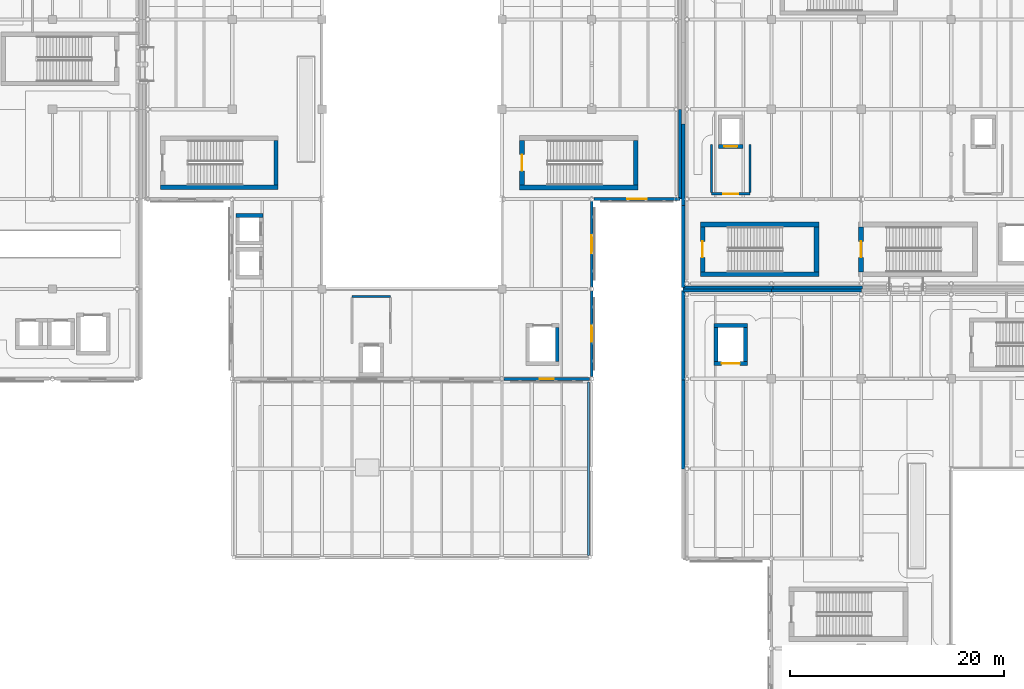
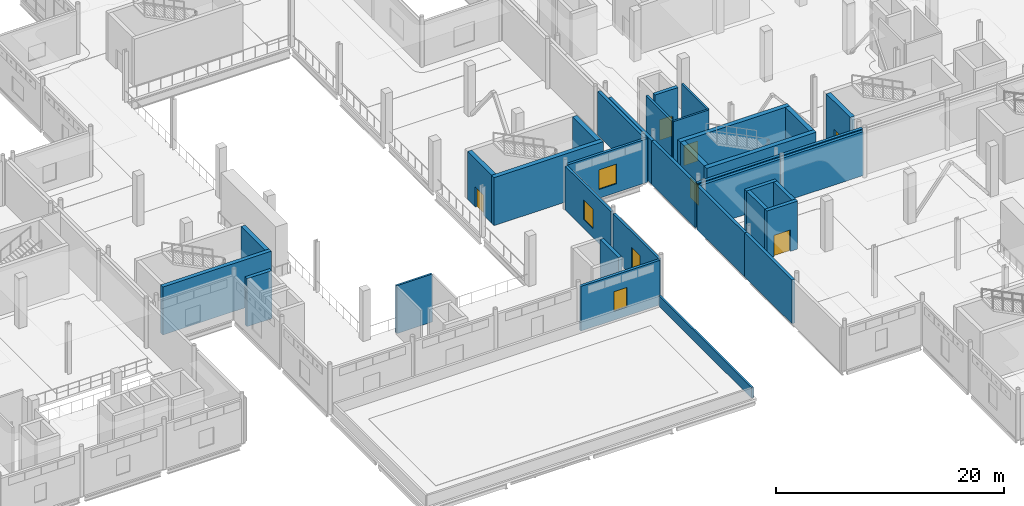
# One storey, part 67 of 110: 35 walls, 6 doors, 4 windows, 10 openings.
"""IFC4 building model written with IfcOpenShell, lengths in metres."""

from ifc_helpers import new_model, si_unit, direction, frame, frame_2d, origin, place, context, subcontext, project, spatial, rectangle, extrude, material, layer, layer_set, type_object, element, fill, save


model = new_model("IFC4")

# Units and contexts
model_context = context("Model", 3, precision=1e-05, world=origin(), true_north=direction((0.0, 1.0)))
body_context = subcontext(model_context, "Body", "Model", "MODEL_VIEW")
ifc_project = project(units=[si_unit("LENGTHUNIT", "METRE"), si_unit("AREAUNIT", "SQUARE_METRE"), si_unit("VOLUMEUNIT", "CUBIC_METRE"), si_unit("PLANEANGLEUNIT", "RADIAN"), si_unit("MASSUNIT", "GRAM", prefix="KILO"), si_unit("THERMODYNAMICTEMPERATUREUNIT", "KELVIN")], contexts=[model_context])

# Site, building, storey
site_placement = place(None, origin())
site = spatial("IfcSite", under=ifc_project, at=site_placement, CompositionType="ELEMENT")
building_placement = place(site_placement, origin())
building = spatial("IfcBuilding", under=site, at=building_placement, Name="Lustrewick Department Store", CompositionType="ELEMENT")
storey_placement = place(building_placement, frame((0.0, 0.0, 6.0)))
storey = spatial("IfcBuildingStorey", under=building, at=storey_placement, Name="L02", CompositionType="ELEMENT", Elevation=6.0)

# Wall, opening, window
ifc_material_1 = material(Name="Precast concrete C40", Category="concrete")
ifc_layer_1 = layer(ifc_material_1, 0.239990234375, Name="Precast concrete C40")
ifc_layer_set_1 = layer_set([ifc_layer_1], Name="Precast concrete C40")
wall_type_1 = type_object("IfcWallType", Name="EW01", PredefinedType="STANDARD", material=ifc_layer_set_1)
wall_1_placement = place(storey_placement, frame((100.800048828125, 42.197998046875, 0.0), z_axis=(0.0, 0.0, 1.0), x_axis=(0.0, 1.0, 0.0)))
wall_1 = element("IfcWall", 1, at=wall_1_placement, inside=storey, type_object=wall_type_1, Name="L02 V2 Exterior Wall EW01", PredefinedType="STANDARD", context=body_context, shape_type="SweptSolid", body=[
    extrude(rectangle(XDim=8.0185546875, YDim=0.239990234375, at=frame_2d((4.00927734375, 0.0))), origin(), (0.0, 0.0, 1.0), 4.697021484375),
])
opening_1_placement = place(wall_1_placement, frame((3.25927734375, 0.0, 0.949951171875)))
opening_1 = element("IfcOpeningElement", 2, at=opening_1_placement, cuts=wall_1, Name="Opening WN08", PredefinedType="OPENING", context=body_context, shape_type="SweptSolid", body=[
    extrude(rectangle(XDim=1.5, YDim=2.10009765625, at=frame_2d((0.75, 1.050048828125))), frame((0.0, 0.1298828125, 0.0), z_axis=(0.0, -1.0, 0.0), x_axis=(1.0, 0.0, 0.0)), (0.0, 0.0, 1.0), 0.260009765625),
])
ifc_material_2 = material(Name="Thermally broken Low-E triple-glazed window", Category="glass")
window_type_1 = type_object("IfcWindowType", Name="WN08", PartitioningType="DOUBLE_PANEL_VERTICAL", PredefinedType="WINDOW", material=ifc_material_2)
window_1_placement = place(opening_1_placement, origin())
window_1 = element("IfcWindow", 3, at=window_1_placement, inside=storey, type_object=window_type_1, Name="L02 Art Nouveau Window WN08", OverallHeight=2.10009765625, OverallWidth=1.5, PartitioningType="SINGLE_PANEL", PredefinedType="WINDOW", context=body_context, shape_type="SweptSolid", body=[
    extrude(rectangle(XDim=1.5, YDim=2.10009765625, at=frame_2d((0.75, 1.050048828125))), frame((0.0, 0.030029296875, 0.0), z_axis=(0.0, -1.0, 0.0), x_axis=(1.0, 0.0, 0.0)), (0.0, 0.0, 1.0), 0.06005859375),
])
fill(opening_1, window_1)

ifc_layer_2 = layer(ifc_material_1, 0.260009765625, Name="Precast concrete C40")
ifc_layer_set_2 = layer_set([ifc_layer_2], Name="Precast concrete C40")
wall_type_2 = type_object("IfcWallType", Name="EW02", PredefinedType="STANDARD", material=ifc_layer_set_2)
wall_2_placement = place(storey_placement, frame((100.800048828125, 50.58349609375, 0.0), z_axis=(0.0, 0.0, 1.0), x_axis=(0.0, 1.0, 0.0)))
wall_2 = element("IfcWall", 4, at=wall_2_placement, inside=storey, type_object=wall_type_2, Name="L02 V2 Exterior Wall EW02", PredefinedType="STANDARD", context=body_context, shape_type="SweptSolid", body=[
    extrude(rectangle(XDim=8.0185546875, YDim=0.260009765625, at=frame_2d((4.00927734375, 0.0))), origin(), (0.0, 0.0, 1.0), 4.697021484375),
])
opening_2_placement = place(wall_2_placement, frame((3.169189453125, 0.0, 0.949951171875)))
opening_2 = element("IfcOpeningElement", 5, at=opening_2_placement, cuts=wall_2, Name="Opening WN09", PredefinedType="OPENING", context=body_context, shape_type="SweptSolid", body=[
    extrude(rectangle(XDim=1.679931640625, YDim=2.10009765625, at=frame_2d((0.83984375, 1.050048828125))), frame((0.0, 0.14013671875, 0.0), z_axis=(0.0, -1.0, 0.0), x_axis=(1.0, 0.0, 0.0)), (0.0, 0.0, 1.0), 0.280029296875),
])
window_type_2 = type_object("IfcWindowType", Name="WN09", PartitioningType="DOUBLE_PANEL_VERTICAL", PredefinedType="WINDOW", material=ifc_material_2)
window_2_placement = place(opening_2_placement, origin())
window_2 = element("IfcWindow", 6, at=window_2_placement, inside=storey, type_object=window_type_2, Name="L02 Art Nouveau Window WN09", OverallHeight=2.10009765625, OverallWidth=1.679931640625, PartitioningType="SINGLE_PANEL", PredefinedType="WINDOW", context=body_context, shape_type="SweptSolid", body=[
    extrude(rectangle(XDim=1.679931640625, YDim=2.10009765625, at=frame_2d((0.83984375, 1.050048828125))), frame((0.0, 0.030029296875, 0.0), z_axis=(0.0, -1.0, 0.0), x_axis=(1.0, 0.0, 0.0)), (0.0, 0.0, 1.0), 0.06005859375),
])
fill(opening_2, window_2)

wall_3_placement = place(storey_placement, frame((100.998046875, 58.800048828125, 0.0), z_axis=(0.0, 0.0, 1.0), x_axis=(1.0, 0.0, 0.0)))
wall_3 = element("IfcWall", 7, at=wall_3_placement, inside=storey, type_object=wall_type_2, Name="L02 V2 Exterior Wall EW02", PredefinedType="STANDARD", context=body_context, shape_type="SweptSolid", body=[
    extrude(rectangle(XDim=8.052001953125, YDim=0.260009765625, at=frame_2d((4.02587890625, 0.0))), origin(), (0.0, 0.0, 1.0), 4.697021484375),
])
opening_3_placement = place(wall_3_placement, frame((3.1259765625, 0.0, 0.949951171875)))
opening_3 = element("IfcOpeningElement", 8, at=opening_3_placement, cuts=wall_3, Name="Opening WN10", PredefinedType="OPENING", context=body_context, shape_type="SweptSolid", body=[
    extrude(rectangle(XDim=1.800048828125, YDim=2.10009765625, at=frame_2d((0.89990234375, 1.050048828125))), frame((0.0, 0.14013671875, 0.0), z_axis=(0.0, -1.0, 0.0), x_axis=(1.0, 0.0, 0.0)), (0.0, 0.0, 1.0), 0.280029296875),
])
window_type_3 = type_object("IfcWindowType", Name="WN10", PartitioningType="DOUBLE_PANEL_VERTICAL", PredefinedType="WINDOW", material=ifc_material_2)
window_3_placement = place(opening_3_placement, origin())
window_3 = element("IfcWindow", 9, at=window_3_placement, inside=storey, type_object=window_type_3, Name="L02 Art Nouveau Window WN10", OverallHeight=2.10009765625, OverallWidth=1.800048828125, PartitioningType="SINGLE_PANEL", PredefinedType="WINDOW", context=body_context, shape_type="SweptSolid", body=[
    extrude(rectangle(XDim=1.800048828125, YDim=2.10009765625, at=frame_2d((0.89990234375, 1.050048828125))), frame((0.0, 0.030029296875, 0.0), z_axis=(0.0, -1.0, 0.0), x_axis=(1.0, 0.0, 0.0)), (0.0, 0.0, 1.0), 0.06005859375),
])
fill(opening_3, window_3)

ifc_layer_3 = layer(ifc_material_1, 0.280029296875, Name="Precast concrete C40")
ifc_layer_set_3 = layer_set([ifc_layer_3], Name="Precast concrete C40")
wall_type_3 = type_object("IfcWallType", Name="EW03", PredefinedType="STANDARD", material=ifc_layer_set_3)
wall_4_placement = place(storey_placement, frame((92.597900390625, 42.0, 0.0), z_axis=(0.0, 0.0, 1.0), x_axis=(1.0, 0.0, 0.0)))
wall_4 = element("IfcWall", 10, at=wall_4_placement, inside=storey, type_object=wall_type_3, Name="L02 V2 Exterior Wall EW03", PredefinedType="STANDARD", context=body_context, shape_type="SweptSolid", body=[
    extrude(rectangle(XDim=8.004150390625, YDim=0.280029296875, at=frame_2d((4.001953125, 0.0))), origin(), (0.0, 0.0, 1.0), 4.787109375),
])
opening_4_placement = place(wall_4_placement, frame((3.326904296875, 0.0, 0.949951171875)))
opening_4 = element("IfcOpeningElement", 11, at=opening_4_placement, cuts=wall_4, Name="Opening WN07", PredefinedType="OPENING", context=body_context, shape_type="SweptSolid", body=[
    extrude(rectangle(XDim=1.35009765625, YDim=2.10009765625, at=frame_2d((0.675048828125, 1.050048828125))), frame((0.0, 0.14990234375, 0.0), z_axis=(0.0, -1.0, 0.0), x_axis=(1.0, 0.0, 0.0)), (0.0, 0.0, 1.0), 0.300048828125),
])
window_type_4 = type_object("IfcWindowType", Name="WN07", PartitioningType="DOUBLE_PANEL_VERTICAL", PredefinedType="WINDOW", material=ifc_material_2)
window_4_placement = place(opening_4_placement, origin())
window_4 = element("IfcWindow", 12, at=window_4_placement, inside=storey, type_object=window_type_4, Name="L02 Art Nouveau Window WN07", OverallHeight=2.10009765625, OverallWidth=1.35009765625, PartitioningType="SINGLE_PANEL", PredefinedType="WINDOW", context=body_context, shape_type="SweptSolid", body=[
    extrude(rectangle(XDim=1.35009765625, YDim=2.10009765625, at=frame_2d((0.675048828125, 1.050048828125))), frame((0.0, 0.030029296875, 0.0), z_axis=(0.0, -1.0, 0.0), x_axis=(1.0, 0.0, 0.0)), (0.0, 0.0, 1.0), 0.06005859375),
])
fill(opening_4, window_4)

# Walls
ifc_layer_4 = layer(ifc_material_1, 0.300048828125, Name="Precast concrete C40")
ifc_layer_set_4 = layer_set([ifc_layer_4], Name="Precast concrete C40")
wall_type_4 = type_object("IfcWallType", Name="EW04", PredefinedType="STANDARD", material=ifc_layer_set_4)
wall_5_placement = place(storey_placement, frame((109.050048828125, 58.800048828125, 0.0), z_axis=(0.0, 0.0, 1.0), x_axis=(0.0, 1.0, 0.0)))
element("IfcWall", 13, at=wall_5_placement, inside=storey, type_object=wall_type_4, Name="L02 V2 Exterior Wall EW04", PredefinedType="STANDARD", context=body_context, shape_type="SweptSolid", body=[
    extrude(rectangle(XDim=8.39990234375, YDim=0.300048828125, at=frame_2d((4.199951171875, 0.0))), origin(), (0.0, 0.0, 1.0), 4.631103515625),
])
wall_6_placement = place(storey_placement, frame((126.0, 50.25, 0.0), z_axis=(0.0, 0.0, 1.0), x_axis=(-1.0, 0.0, 0.0)))
element("IfcWall", 14, at=wall_6_placement, inside=storey, type_object=wall_type_4, Name="L02 V3 Exterior Wall EW04", PredefinedType="STANDARD", context=body_context, shape_type="SweptSolid", body=[
    extrude(rectangle(XDim=8.39990234375, YDim=0.300048828125, at=frame_2d((4.199951171875, 0.0))), origin(), (0.0, 0.0, 1.0), 4.697021484375),
])
wall_7_placement = place(storey_placement, frame((117.60009765625, 50.25, 0.0), z_axis=(0.0, 0.0, 1.0), x_axis=(-1.0, 0.0, 0.0)))
element("IfcWall", 15, at=wall_7_placement, inside=storey, type_object=wall_type_4, Name="L02 V3 Exterior Wall EW04", PredefinedType="STANDARD", context=body_context, shape_type="SweptSolid", body=[
    extrude(rectangle(XDim=8.25, YDim=0.300048828125, at=frame_2d((4.125, 0.0))), origin(), (0.0, 0.0, 1.0), 4.697021484375),
])
wall_8_placement = place(storey_placement, frame((109.35009765625, 50.25, 0.0), z_axis=(0.0, 0.0, 1.0), x_axis=(0.0, -1.0, 0.0)))
element("IfcWall", 16, at=wall_8_placement, inside=storey, type_object=wall_type_4, Name="L02 V3 Exterior Wall EW04", PredefinedType="STANDARD", context=body_context, shape_type="SweptSolid", body=[
    extrude(rectangle(XDim=8.35009765625, YDim=0.300048828125, at=frame_2d((4.175048828125, 0.0))), origin(), (0.0, 0.0, 1.0), 4.697021484375),
])
wall_9_placement = place(storey_placement, frame((109.35009765625, 41.89990234375, 0.0), z_axis=(0.0, 0.0, 1.0), x_axis=(0.0, -1.0, 0.0)))
element("IfcWall", 17, at=wall_9_placement, inside=storey, type_object=wall_type_4, Name="L02 V3 Exterior Wall EW04", PredefinedType="STANDARD", context=body_context, shape_type="SweptSolid", body=[
    extrude(rectangle(XDim=8.349853515625, YDim=0.300048828125, at=frame_2d((4.1748046875, 0.0))), origin(), (0.0, 0.0, 1.0), 4.697021484375),
])
wall_10_placement = place(storey_placement, frame((109.35009765625, 50.550048828125, 0.0), z_axis=(0.0, 0.0, 1.0), x_axis=(1.0, 0.0, 0.0)))
element("IfcWall", 18, at=wall_10_placement, inside=storey, type_object=wall_type_4, Name="L02 V4 Exterior Wall EW04", PredefinedType="STANDARD", context=body_context, shape_type="SweptSolid", body=[
    extrude(rectangle(XDim=8.37841796875, YDim=0.300048828125, at=frame_2d((4.189208984375, 0.0))), origin(), (0.0, 0.0, 1.0), 4.787109375),
])
wall_11_placement = place(storey_placement, frame((117.728515625, 50.550048828125, 0.0), z_axis=(0.0, 0.0, 1.0), x_axis=(1.0, 0.0, 0.0)))
element("IfcWall", 19, at=wall_11_placement, inside=storey, type_object=wall_type_4, Name="L02 V4 Exterior Wall EW04", PredefinedType="STANDARD", context=body_context, shape_type="SweptSolid", body=[
    extrude(rectangle(XDim=8.378662109375, YDim=0.300048828125, at=frame_2d((4.189453125, 0.0))), origin(), (0.0, 0.0, 1.0), 4.787109375),
])
wall_12_placement = place(storey_placement, frame((109.35009765625, 65.8125, 0.0), z_axis=(0.0, 0.0, 1.0), x_axis=(0.0, -1.0, 0.0)))
element("IfcWall", 20, at=wall_12_placement, inside=storey, type_object=wall_type_4, Name="L02 V4 Exterior Wall EW04", PredefinedType="STANDARD", context=body_context, shape_type="SweptSolid", body=[
    extrude(rectangle(XDim=7.63134765625, YDim=0.300048828125, at=frame_2d((3.815673828125, 0.0))), origin(), (0.0, 0.0, 1.0), 4.697021484375),
])
wall_13_placement = place(storey_placement, frame((109.35009765625, 58.18115234375, 0.0), z_axis=(0.0, 0.0, 1.0), x_axis=(0.0, -1.0, 0.0)))
element("IfcWall", 21, at=wall_13_placement, inside=storey, type_object=wall_type_4, Name="L02 V4 Exterior Wall EW04", PredefinedType="STANDARD", context=body_context, shape_type="SweptSolid", body=[
    extrude(rectangle(XDim=7.631103515625, YDim=0.300048828125, at=frame_2d((3.8154296875, 0.0))), origin(), (0.0, 0.0, 1.0), 4.697021484375),
])
ifc_layer_5 = layer(ifc_material_1, 0.18994140625, Name="Precast concrete C40")
ifc_layer_set_5 = layer_set([ifc_layer_5], Name="Precast concrete C40")
wall_type_5 = type_object("IfcWallType", Name="PA01", PredefinedType="PARAPET", material=ifc_layer_set_5)
wall_14_placement = place(storey_placement, frame((100.52001953125, 41.719970703125, 0.0), z_axis=(0.0, 0.0, 1.0), x_axis=(0.0, -1.0, 0.0)))
element("IfcWall", 22, at=wall_14_placement, inside=storey, type_object=wall_type_5, Name="L02 Roof Parapet PA01", PredefinedType="PARAPET", context=body_context, shape_type="SweptSolid", body=[
    extrude(rectangle(XDim=16.239990234375, YDim=0.18994140625, at=frame_2d((8.1201171875, 0.0))), origin(), (0.0, 0.0, 1.0), 1.14990234375),
])
ifc_material_3 = material(Name="Autoclaved aerated concrete blockwork and fire board", Category="masonry")
ifc_layer_6 = layer(ifc_material_3, 0.205078125, Name="Autoclaved aerated concrete blockwork and fire board")
ifc_layer_set_6 = layer_set([ifc_layer_6], Name="Autoclaved aerated concrete blockwork and fire board")
wall_type_6 = type_object("IfcWallType", Name="PW02", PredefinedType="PARTITIONING", material=ifc_layer_set_6)
wall_15_placement = place(storey_placement, frame((82.0, 49.699951171875, 0.0), z_axis=(0.0, 0.0, 1.0), x_axis=(-1.0, 0.0, 0.0)))
element("IfcWall", 23, at=wall_15_placement, inside=storey, type_object=wall_type_6, Name="L02 Firefighting Lift Lobby FFL-02 PW02", PredefinedType="PARTITIONING", context=body_context, shape_type="SweptSolid", body=[
    extrude(rectangle(XDim=3.60009765625, YDim=0.205078125, at=frame_2d((1.800048828125, 0.0))), origin(), (0.0, 0.0, 1.0), 5.14501953125),
])

# Wall, opening, door
wall_16_placement = place(storey_placement, frame((112.0, 59.300048828125, 0.0), z_axis=(0.0, 0.0, 1.0), x_axis=(1.0, 0.0, 0.0)))
wall_16 = element("IfcWall", 24, at=wall_16_placement, inside=storey, type_object=wall_type_6, Name="L02 Firefighting Lift Lobby FFL-04 PW02", PredefinedType="PARTITIONING", context=body_context, shape_type="SweptSolid", body=[
    extrude(rectangle(XDim=3.60009765625, YDim=0.205078125, at=frame_2d((1.800048828125, 0.0))), origin(), (0.0, 0.0, 1.0), 5.14501953125),
])
opening_5_placement = place(wall_16_placement, frame((1.10009765625, 0.0, 0.0)))
opening_5 = element("IfcOpeningElement", 25, at=opening_5_placement, cuts=wall_16, Name="Opening D-L02-050", PredefinedType="OPENING", context=body_context, shape_type="SweptSolid", body=[
    extrude(rectangle(XDim=1.39990234375, YDim=2.14990234375, at=frame_2d((0.699951171875, 1.074951171875))), frame((0.0, 0.112548828125, 0.0), z_axis=(0.0, -1.0, 0.0), x_axis=(1.0, 0.0, 0.0)), (0.0, 0.0, 1.0), 0.22509765625),
])
ifc_material_4 = material(Name="Steel fire door Class B EI 60", Category="steel")
door_type_1 = type_object("IfcDoorType", Name="DT-08", OperationType="NOTDEFINED", PredefinedType="DOOR", material=ifc_material_4)
door_1_placement = place(opening_5_placement, origin())
door_1 = element("IfcDoor", 26, at=door_1_placement, inside=storey, type_object=door_type_1, Name="L02 Firefighting Lift Lobby FFL-04 Door D-L02-050", OperationType="SINGLE_SWING_RIGHT", OverallHeight=2.14990234375, OverallWidth=1.39990234375, PredefinedType="DOOR", context=body_context, shape_type="SweptSolid", body=[
    extrude(rectangle(XDim=1.39990234375, YDim=2.14990234375, at=frame_2d((0.699951171875, 1.074951171875))), frame((0.0, 0.02490234375, 0.0), z_axis=(0.0, -1.0, 0.0), x_axis=(1.0, 0.0, 0.0)), (0.0, 0.0, 1.0), 0.050048828125),
])
fill(opening_5, door_1)

# Walls
for number, where, z_axis, x_axis, name in (
    (27, (115.60009765625, 59.3974609375, 0.0), (0.0, 0.0, 1.0), (0.0, 1.0, 0.0), "L02 Firefighting Lift Lobby FFL-04 PW02"),
    (28, (112.0, 63.89990234375, 0.0), (0.0, 0.0, 1.0), (0.0, -1.0, 0.0), "L02 Firefighting Lift Lobby FFL-04 PW02"),
):
    element("IfcWall", number, at=place(storey_placement, frame(where, z_axis=z_axis, x_axis=x_axis)), inside=storey, type_object=wall_type_6, Name=name, PredefinedType="PARTITIONING", context=body_context, shape_type="SweptSolid", body=[
        extrude(rectangle(XDim=4.50244140625, YDim=0.205078125, at=frame_2d((2.251220703125, 0.0))), origin(), (0.0, 0.0, 1.0), 5.14501953125),
    ])
ifc_material_5 = material(Name="Concrete C50", Category="concrete")
ifc_layer_7 = layer(ifc_material_5, 0.449951171875, Name="Concrete C50")
ifc_layer_set_7 = layer_set([ifc_layer_7], Name="Concrete C50")
wall_type_7 = type_object("IfcWallType", Name="SW01", PredefinedType="SHEAR", material=ifc_layer_set_7)
wall_17_placement = place(storey_placement, frame((94.050048828125, 59.875, 0.0), z_axis=(0.0, 0.0, 1.0), x_axis=(1.0, 0.0, 0.0)))
element("IfcWall", 29, at=wall_17_placement, inside=storey, type_object=wall_type_7, Name="L02 Stair Core ST05 Shear Wall S", PredefinedType="SHEAR", context=body_context, shape_type="SweptSolid", body=[
    extrude(rectangle(XDim=11.099853515625, YDim=0.449951171875, at=frame_2d((5.5498046875, 0.0))), origin(), (0.0, 0.0, 1.0), 5.14501953125),
])
wall_18_placement = place(storey_placement, frame((104.925048828125, 60.10009765625, 0.0), z_axis=(0.0, 0.0, 1.0), x_axis=(0.0, 1.0, 0.0)))
element("IfcWall", 30, at=wall_18_placement, inside=storey, type_object=wall_type_7, Name="L02 Stair Core ST05 Shear Wall E", PredefinedType="SHEAR", context=body_context, shape_type="SweptSolid", body=[
    extrude(rectangle(XDim=4.199951171875, YDim=0.449951171875, at=frame_2d((2.10009765625, 0.0))), origin(), (0.0, 0.0, 1.0), 5.14501953125),
])

# Wall, opening, door
wall_19_placement = place(storey_placement, frame((94.27490234375, 64.300048828125, 0.0), z_axis=(0.0, 0.0, 1.0), x_axis=(0.0, -1.0, 0.0)))
wall_19 = element("IfcWall", 31, at=wall_19_placement, inside=storey, type_object=wall_type_7, Name="L02 Stair Core ST05 Shear Wall W", PredefinedType="SHEAR", context=body_context, shape_type="SweptSolid", body=[
    extrude(rectangle(XDim=4.199951171875, YDim=0.449951171875, at=frame_2d((2.10009765625, 0.0))), origin(), (0.0, 0.0, 1.0), 5.14501953125),
])
opening_6_placement = place(wall_19_placement, frame((1.35009765625, 0.0, 0.0)))
opening_6 = element("IfcOpeningElement", 32, at=opening_6_placement, cuts=wall_19, Name="Opening D-L02-005", PredefinedType="OPENING", context=body_context, shape_type="SweptSolid", body=[
    extrude(rectangle(XDim=1.5, YDim=2.14990234375, at=frame_2d((0.75, 1.074951171875))), frame((0.0, 0.23486328125, 0.0), z_axis=(0.0, -1.0, 0.0), x_axis=(1.0, 0.0, 0.0)), (0.0, 0.0, 1.0), 0.469970703125),
])
door_type_2 = type_object("IfcDoorType", Name="DT-07", OperationType="NOTDEFINED", PredefinedType="DOOR", material=ifc_material_4)
door_2_placement = place(opening_6_placement, origin())
door_2 = element("IfcDoor", 33, at=door_2_placement, inside=storey, type_object=door_type_2, Name="L02 Smoke-Proof Stair ST05 Fire Door", OperationType="SINGLE_SWING_RIGHT", OverallHeight=2.14990234375, OverallWidth=1.5, PredefinedType="DOOR", context=body_context, shape_type="SweptSolid", body=[
    extrude(rectangle(XDim=1.5, YDim=2.14990234375, at=frame_2d((0.75, 1.074951171875))), frame((0.0, 0.02490234375, 0.0), z_axis=(0.0, -1.0, 0.0), x_axis=(1.0, 0.0, 0.0)), (0.0, 0.0, 1.0), 0.050048828125),
])
fill(opening_6, door_2)

# Walls
wall_20_placement = place(storey_placement, frame((110.949951171875, 51.77490234375, 0.0), z_axis=(0.0, 0.0, 1.0), x_axis=(1.0, 0.0, 0.0)))
element("IfcWall", 34, at=wall_20_placement, inside=storey, type_object=wall_type_7, Name="L02 Stair Core ST09 Shear Wall S", PredefinedType="SHEAR", context=body_context, shape_type="SweptSolid", body=[
    extrude(rectangle(XDim=11.10009765625, YDim=0.449951171875, at=frame_2d((5.550048828125, 0.0))), origin(), (0.0, 0.0, 1.0), 5.14501953125),
])
wall_21_placement = place(storey_placement, frame((121.824951171875, 52.0, 0.0), z_axis=(0.0, 0.0, 1.0), x_axis=(0.0, 1.0, 0.0)))
element("IfcWall", 35, at=wall_21_placement, inside=storey, type_object=wall_type_7, Name="L02 Stair Core ST09 Shear Wall E", PredefinedType="SHEAR", context=body_context, shape_type="SweptSolid", body=[
    extrude(rectangle(XDim=4.199951171875, YDim=0.449951171875, at=frame_2d((2.10009765625, 0.0))), origin(), (0.0, 0.0, 1.0), 5.14501953125),
])
wall_22_placement = place(storey_placement, frame((122.050048828125, 56.425048828125, 0.0), z_axis=(0.0, 0.0, 1.0), x_axis=(-1.0, 0.0, 0.0)))
element("IfcWall", 36, at=wall_22_placement, inside=storey, type_object=wall_type_7, Name="L02 Stair Core ST09 Shear Wall N", PredefinedType="SHEAR", context=body_context, shape_type="SweptSolid", body=[
    extrude(rectangle(XDim=11.10009765625, YDim=0.449951171875, at=frame_2d((5.550048828125, 0.0))), origin(), (0.0, 0.0, 1.0), 5.14501953125),
])

# Wall, opening, door
wall_23_placement = place(storey_placement, frame((111.175048828125, 56.199951171875, 0.0), z_axis=(0.0, 0.0, 1.0), x_axis=(0.0, -1.0, 0.0)))
wall_23 = element("IfcWall", 37, at=wall_23_placement, inside=storey, type_object=wall_type_7, Name="L02 Stair Core ST09 Shear Wall W", PredefinedType="SHEAR", context=body_context, shape_type="SweptSolid", body=[
    extrude(rectangle(XDim=4.199951171875, YDim=0.449951171875, at=frame_2d((2.10009765625, 0.0))), origin(), (0.0, 0.0, 1.0), 5.14501953125),
])
opening_7_placement = place(wall_23_placement, frame((1.35009765625, 0.0, 0.0)))
opening_7 = element("IfcOpeningElement", 38, at=opening_7_placement, cuts=wall_23, Name="Opening D-L02-009", PredefinedType="OPENING", context=body_context, shape_type="SweptSolid", body=[
    extrude(rectangle(XDim=1.5, YDim=2.14990234375, at=frame_2d((0.75, 1.074951171875))), frame((0.0, 0.23486328125, 0.0), z_axis=(0.0, -1.0, 0.0), x_axis=(1.0, 0.0, 0.0)), (0.0, 0.0, 1.0), 0.469970703125),
])
door_3_placement = place(opening_7_placement, origin())
door_3 = element("IfcDoor", 39, at=door_3_placement, inside=storey, type_object=door_type_2, Name="L02 Smoke-Proof Stair ST09 Fire Door", OperationType="SINGLE_SWING_RIGHT", OverallHeight=2.14990234375, OverallWidth=1.5, PredefinedType="DOOR", context=body_context, shape_type="SweptSolid", body=[
    extrude(rectangle(XDim=1.5, YDim=2.14990234375, at=frame_2d((0.75, 1.074951171875))), frame((0.0, 0.02490234375, 0.0), z_axis=(0.0, -1.0, 0.0), x_axis=(1.0, 0.0, 0.0)), (0.0, 0.0, 1.0), 0.050048828125),
])
fill(opening_7, door_3)

wall_24_placement = place(storey_placement, frame((125.97509765625, 56.199951171875, 0.0), z_axis=(0.0, 0.0, 1.0), x_axis=(0.0, -1.0, 0.0)))
wall_24 = element("IfcWall", 40, at=wall_24_placement, inside=storey, type_object=wall_type_7, Name="L02 Stair Core ST11 Shear Wall W", PredefinedType="SHEAR", context=body_context, shape_type="SweptSolid", body=[
    extrude(rectangle(XDim=4.199951171875, YDim=0.449951171875, at=frame_2d((2.10009765625, 0.0))), origin(), (0.0, 0.0, 1.0), 5.14501953125),
])
opening_8_placement = place(wall_24_placement, frame((1.35009765625, 0.0, 0.0)))
opening_8 = element("IfcOpeningElement", 41, at=opening_8_placement, cuts=wall_24, Name="Opening D-L02-011", PredefinedType="OPENING", context=body_context, shape_type="SweptSolid", body=[
    extrude(rectangle(XDim=1.5, YDim=2.14990234375, at=frame_2d((0.75, 1.074951171875))), frame((0.0, 0.23486328125, 0.0), z_axis=(0.0, -1.0, 0.0), x_axis=(1.0, 0.0, 0.0)), (0.0, 0.0, 1.0), 0.469970703125),
])
door_4_placement = place(opening_8_placement, origin())
door_4 = element("IfcDoor", 42, at=door_4_placement, inside=storey, type_object=door_type_2, Name="L02 Smoke-Proof Stair ST11 Fire Door", OperationType="SINGLE_SWING_RIGHT", OverallHeight=2.14990234375, OverallWidth=1.5, PredefinedType="DOOR", context=body_context, shape_type="SweptSolid", body=[
    extrude(rectangle(XDim=1.5, YDim=2.14990234375, at=frame_2d((0.75, 1.074951171875))), frame((0.0, 0.02490234375, 0.0), z_axis=(0.0, -1.0, 0.0), x_axis=(1.0, 0.0, 0.0)), (0.0, 0.0, 1.0), 0.050048828125),
])
fill(opening_8, door_4)

# Walls
ifc_layer_8 = layer(ifc_material_5, 0.39990234375, Name="Concrete C50")
ifc_layer_set_8 = layer_set([ifc_layer_8], Name="Concrete C50")
wall_type_8 = type_object("IfcWallType", Name="SW02", PredefinedType="SHEAR", material=ifc_layer_set_8)
wall_25_placement = place(storey_placement, frame((60.5, 59.89990234375, 0.0), z_axis=(0.0, 0.0, 1.0), x_axis=(1.0, 0.0, 0.0)))
element("IfcWall", 43, at=wall_25_placement, inside=storey, type_object=wall_type_8, Name="L02 Stair Core ST04 Shear Wall S", PredefinedType="SHEAR", context=body_context, shape_type="SweptSolid", body=[
    extrude(rectangle(XDim=11.0, YDim=0.39990234375, at=frame_2d((5.5, 0.0))), origin(), (0.0, 0.0, 1.0), 5.14501953125),
])
wall_26_placement = place(storey_placement, frame((71.300048828125, 60.10009765625, 0.0), z_axis=(0.0, 0.0, 1.0), x_axis=(0.0, 1.0, 0.0)))
element("IfcWall", 44, at=wall_26_placement, inside=storey, type_object=wall_type_8, Name="L02 Stair Core ST04 Shear Wall E", PredefinedType="SHEAR", context=body_context, shape_type="SweptSolid", body=[
    extrude(rectangle(XDim=4.199951171875, YDim=0.39990234375, at=frame_2d((2.10009765625, 0.0))), origin(), (0.0, 0.0, 1.0), 5.14501953125),
])

# Wall, opening, door
ifc_material_6 = material(Name="Concrete C40", Category="concrete")
ifc_layer_9 = layer(ifc_material_6, 0.360107421875, Name="Concrete C40")
ifc_layer_set_9 = layer_set([ifc_layer_9], Name="Concrete C40")
wall_type_9 = type_object("IfcWallType", Name="SW04", PredefinedType="SHEAR", material=ifc_layer_set_9)
wall_27_placement = place(storey_placement, frame((112.639892578125, 63.719970703125, 0.0), z_axis=(0.0, 0.0, 1.0), x_axis=(1.0, 0.0, 0.0)))
wall_27 = element("IfcWall", 45, at=wall_27_placement, inside=storey, type_object=wall_type_9, Name="L02 Lift FFL-04 Shaft Wall -Y", PredefinedType="SHEAR", context=body_context, shape_type="SweptSolid", body=[
    extrude(rectangle(XDim=2.320068359375, YDim=0.360107421875, at=frame_2d((1.16015625, 0.0))), origin(), (0.0, 0.0, 1.0), 5.14501953125),
])
opening_9_placement = place(wall_27_placement, frame((0.534912109375, 0.0, 0.0)))
opening_9 = element("IfcOpeningElement", 46, at=opening_9_placement, cuts=wall_27, Name="Opening LD-L02-04", PredefinedType="OPENING", context=body_context, shape_type="SweptSolid", body=[
    extrude(rectangle(XDim=1.25, YDim=2.199951171875, at=frame_2d((0.625, 1.10009765625))), frame((0.0, 0.18994140625, 0.0), z_axis=(0.0, -1.0, 0.0), x_axis=(1.0, 0.0, 0.0)), (0.0, 0.0, 1.0), 0.380126953125),
])
ifc_material_7 = material(Name="Stainless steel firefighting lift landing door EI 90", Category="steel")
door_type_3 = type_object("IfcDoorType", Name="DT-15", OperationType="NOTDEFINED", PredefinedType="DOOR", material=ifc_material_7)
door_5_placement = place(opening_9_placement, frame((1.25, 0.0, 0.0), z_axis=(0.0, 0.0, 1.0), x_axis=(-1.0, 0.0, 0.0)))
door_5 = element("IfcDoor", 47, at=door_5_placement, inside=storey, type_object=door_type_3, Name="L02 Lift FFL-04 Sliding Landing Door LD-L02-04", OperationType="DOUBLE_DOOR_SLIDING", OverallHeight=2.199951171875, OverallWidth=1.25, PredefinedType="DOOR", context=body_context, shape_type="SweptSolid", body=[
    extrude(rectangle(XDim=1.25, YDim=2.199951171875, at=frame_2d((0.625, 1.10009765625))), frame((0.0, 0.02490234375, 0.0), z_axis=(0.0, -1.0, 0.0), x_axis=(1.0, 0.0, 0.0)), (0.0, 0.0, 1.0), 0.050048828125),
])
fill(opening_9, door_5)

# Walls
wall_28_placement = place(storey_placement, frame((70.06005859375, 57.280029296875, 0.0), z_axis=(0.0, 0.0, 1.0), x_axis=(-1.0, 0.0, 0.0)))
element("IfcWall", 48, at=wall_28_placement, inside=storey, type_object=wall_type_9, Name="L02 Lift PL-04 Shaft Wall +Y", PredefinedType="SHEAR", context=body_context, shape_type="SweptSolid", body=[
    extrude(rectangle(XDim=2.52001953125, YDim=0.360107421875, at=frame_2d((1.260009765625, 0.0))), origin(), (0.0, 0.0, 1.0), 5.14501953125),
])
wall_29_placement = place(storey_placement, frame((97.580078125, 43.60009765625, 0.0), z_axis=(0.0, 0.0, 1.0), x_axis=(0.0, 1.0, 0.0)))
element("IfcWall", 49, at=wall_29_placement, inside=storey, type_object=wall_type_9, Name="L02 Lift GL-02 Shaft Wall +X", PredefinedType="SHEAR", context=body_context, shape_type="SweptSolid", body=[
    extrude(rectangle(XDim=3.199951171875, YDim=0.360107421875, at=frame_2d((1.60009765625, 0.0))), origin(), (0.0, 0.0, 1.0), 5.14501953125),
])

# Wall, opening, door
wall_30_placement = place(storey_placement, frame((112.239990234375, 43.419921875, 0.0), z_axis=(0.0, 0.0, 1.0), x_axis=(1.0, 0.0, 0.0)))
wall_30 = element("IfcWall", 50, at=wall_30_placement, inside=storey, type_object=wall_type_9, Name="L02 Lift GL-03 Shaft Wall -Y", PredefinedType="SHEAR", context=body_context, shape_type="SweptSolid", body=[
    extrude(rectangle(XDim=3.1201171875, YDim=0.360107421875, at=frame_2d((1.56005859375, 0.0))), origin(), (0.0, 0.0, 1.0), 5.14501953125),
])
opening_10_placement = place(wall_30_placement, frame((0.7099609375, 0.0, 0.0)))
opening_10 = element("IfcOpeningElement", 51, at=opening_10_placement, cuts=wall_30, Name="Opening LD-L02-15", PredefinedType="OPENING", context=body_context, shape_type="SweptSolid", body=[
    extrude(rectangle(XDim=1.699951171875, YDim=2.300048828125, at=frame_2d((0.85009765625, 1.14990234375))), frame((0.0, 0.18994140625, 0.0), z_axis=(0.0, -1.0, 0.0), x_axis=(1.0, 0.0, 0.0)), (0.0, 0.0, 1.0), 0.380126953125),
])
ifc_material_8 = material(Name="Heavy-duty stainless goods lift landing door EI 90", Category="steel")
door_type_4 = type_object("IfcDoorType", Name="DT-17", OperationType="NOTDEFINED", PredefinedType="DOOR", material=ifc_material_8)
door_6_placement = place(opening_10_placement, frame((1.699951171875, 0.0, 0.0), z_axis=(0.0, 0.0, 1.0), x_axis=(-1.0, 0.0, 0.0)))
door_6 = element("IfcDoor", 52, at=door_6_placement, inside=storey, type_object=door_type_4, Name="L02 Lift GL-03 Sliding Landing Door LD-L02-15", OperationType="DOUBLE_DOOR_SLIDING", OverallHeight=2.300048828125, OverallWidth=1.699951171875, PredefinedType="DOOR", context=body_context, shape_type="SweptSolid", body=[
    extrude(rectangle(XDim=1.699951171875, YDim=2.300048828125, at=frame_2d((0.85009765625, 1.14990234375))), frame((0.0, 0.02490234375, 0.0), z_axis=(0.0, -1.0, 0.0), x_axis=(1.0, 0.0, 0.0)), (0.0, 0.0, 1.0), 0.050048828125),
])
fill(opening_10, door_6)

# Walls
wall_31_placement = place(storey_placement, frame((115.179931640625, 43.60009765625, 0.0), z_axis=(0.0, 0.0, 1.0), x_axis=(0.0, 1.0, 0.0)))
element("IfcWall", 53, at=wall_31_placement, inside=storey, type_object=wall_type_9, Name="L02 Lift GL-03 Shaft Wall +X", PredefinedType="SHEAR", context=body_context, shape_type="SweptSolid", body=[
    extrude(rectangle(XDim=3.199951171875, YDim=0.360107421875, at=frame_2d((1.60009765625, 0.0))), origin(), (0.0, 0.0, 1.0), 5.14501953125),
])
wall_32_placement = place(storey_placement, frame((115.360107421875, 46.97998046875, 0.0), z_axis=(0.0, 0.0, 1.0), x_axis=(-1.0, 0.0, 0.0)))
element("IfcWall", 54, at=wall_32_placement, inside=storey, type_object=wall_type_9, Name="L02 Lift GL-03 Shaft Wall +Y", PredefinedType="SHEAR", context=body_context, shape_type="SweptSolid", body=[
    extrude(rectangle(XDim=3.1201171875, YDim=0.360107421875, at=frame_2d((1.56005859375, 0.0))), origin(), (0.0, 0.0, 1.0), 5.14501953125),
])
wall_33_placement = place(storey_placement, frame((112.419921875, 46.800048828125, 0.0), z_axis=(0.0, 0.0, 1.0), x_axis=(0.0, -1.0, 0.0)))
element("IfcWall", 55, at=wall_33_placement, inside=storey, type_object=wall_type_9, Name="L02 Lift GL-03 Shaft Wall -X", PredefinedType="SHEAR", context=body_context, shape_type="SweptSolid", body=[
    extrude(rectangle(XDim=3.199951171875, YDim=0.360107421875, at=frame_2d((1.60009765625, 0.0))), origin(), (0.0, 0.0, 1.0), 5.14501953125),
])

save(model, "model.ifc")
